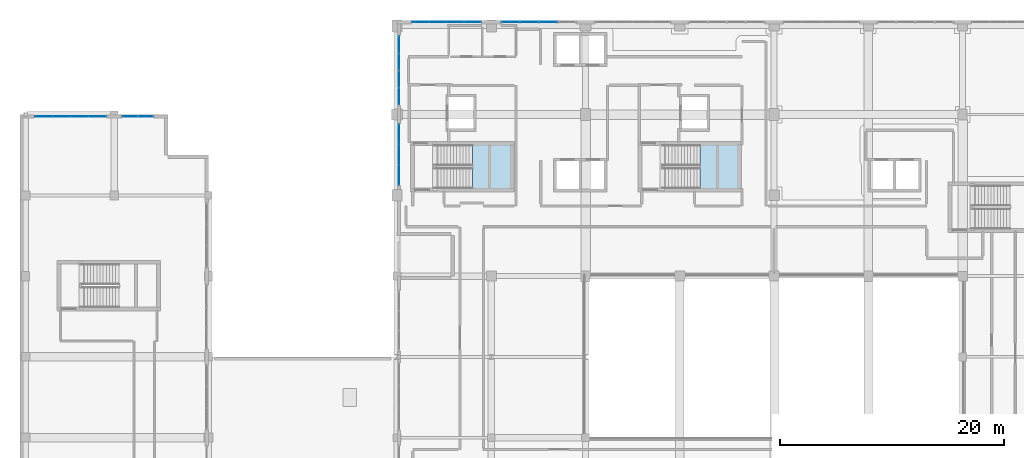
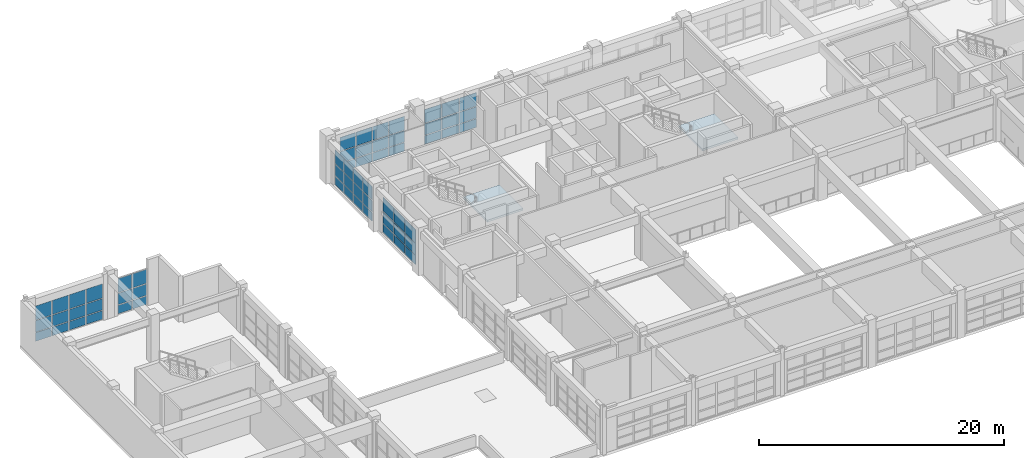
# One storey, part 93 of 123: 60 plates, 2 slabs, 8 elements without a shape of their own.
"""IFC4 building model written with IfcOpenShell, lengths in metres."""

from ifc_helpers import new_model, si_unit, direction, frame, origin, origin_2d, place, context, subcontext, project, spatial, polyline, rectangle, outline, extrude, material, layer, layer_set, type_object, element, aggregate, save


model = new_model("IFC4")

# Units and contexts
model_context = context("Model", 3, precision=1e-05, world=origin(), true_north=direction((0.0, 1.0)))
body_context = subcontext(model_context, "Body", "Model", "MODEL_VIEW")
ifc_project = project(units=[si_unit("LENGTHUNIT", "METRE"), si_unit("AREAUNIT", "SQUARE_METRE"), si_unit("VOLUMEUNIT", "CUBIC_METRE"), si_unit("PLANEANGLEUNIT", "RADIAN"), si_unit("MASSUNIT", "GRAM", prefix="KILO")], contexts=[model_context])

# Site, building, storey
site_placement = place(None, origin())
site = spatial("IfcSite", under=ifc_project, at=site_placement, CompositionType="ELEMENT")
building_placement = place(site_placement, origin())
building = spatial("IfcBuilding", under=site, at=building_placement, Name="Quendrovan Civic Courthouse", CompositionType="ELEMENT")
storey_placement = place(building_placement, frame((0.0, 0.0, 5.39990234375)))
storey = spatial("IfcBuildingStorey", under=building, at=storey_placement, Name="L02", CompositionType="ELEMENT", Elevation=5.39990234375)

# Curtain wall, plates
ifc_material_1 = material(Name="Bronze anodised aluminium and low-E glass", Category="aluminium")
ifc_layer_1 = layer(ifc_material_1, 0.179931640625, Name="Bronze anodised aluminium and low-E glass")
ifc_layer_set_1 = layer_set([ifc_layer_1], Name="Bronze anodised aluminium and low-E glass")
curtain_wall_type_1 = type_object("IfcCurtainWallType", Name="CW-U28x37", PredefinedType="USERDEFINED", material=ifc_layer_set_1)
curtain_wall_1_placement = place(storey_placement, origin())
curtain_wall_1 = element("IfcCurtainWall", 1, at=curtain_wall_1_placement, inside=storey, type_object=curtain_wall_type_1, Name="L02 Unitised Hurricane Curtain Wall CW-068", ObjectType="UNITISED CURTAIN WALL", PredefinedType="USERDEFINED")
ifc_material_2 = material(Name="Laminated hurricane-impact low-E glass", Category="glass")
ifc_layer_2 = layer(ifc_material_2, 0.028076171875, Name="Laminated hurricane-impact low-E glass")
ifc_layer_set_2 = layer_set([ifc_layer_2], Name="Laminated hurricane-impact low-E glass")
plate_type_1 = type_object("IfcPlateType", Name="CW-PNL-1", PredefinedType="CURTAIN_PANEL", material=ifc_layer_set_2)
plate_1_placement = place(storey_placement, frame((9.798828125, 101.8349609375, 0.0703125), z_axis=(0.0, 0.0, 1.0), x_axis=(1.0, 0.0, 0.0)))
plate_1 = element("IfcPlate", 2, at=plate_1_placement, type_object=plate_type_1, Name="CW-068 panel 1.1", PredefinedType="CURTAIN_PANEL", context=body_context, shape_type="SweptSolid", body=[
    extrude(rectangle(XDim=1.3076171875, YDim=0.028076171875, at=origin_2d()), origin(), (0.0, 0.0, 1.0), 0.844970703125),
])
plate_2_placement = place(storey_placement, frame((9.798828125, 101.8349609375, 0.985107421875), z_axis=(0.0, 0.0, 1.0), x_axis=(1.0, 0.0, 0.0)))
plate_2 = element("IfcPlate", 3, at=plate_2_placement, type_object=plate_type_1, Name="CW-068 panel 1.2", PredefinedType="CURTAIN_PANEL", context=body_context, shape_type="SweptSolid", body=[
    extrude(rectangle(XDim=1.3076171875, YDim=0.028076171875, at=origin_2d()), origin(), (0.0, 0.0, 1.0), 1.1298828125),
])
plate_3_placement = place(storey_placement, frame((9.798828125, 101.8349609375, 2.18505859375), z_axis=(0.0, 0.0, 1.0), x_axis=(1.0, 0.0, 0.0)))
plate_3 = element("IfcPlate", 4, at=plate_3_placement, type_object=plate_type_1, Name="CW-068 panel 1.3", PredefinedType="CURTAIN_PANEL", context=body_context, shape_type="SweptSolid", body=[
    extrude(rectangle(XDim=1.3076171875, YDim=0.028076171875, at=origin_2d()), origin(), (0.0, 0.0, 1.0), 1.405029296875),
])
plate_4_placement = place(storey_placement, frame((11.17626953125, 101.8349609375, 0.0703125), z_axis=(0.0, 0.0, 1.0), x_axis=(1.0, 0.0, 0.0)))
plate_4 = element("IfcPlate", 5, at=plate_4_placement, type_object=plate_type_1, Name="CW-068 panel 2.1", PredefinedType="CURTAIN_PANEL", context=body_context, shape_type="SweptSolid", body=[
    extrude(rectangle(XDim=1.3076171875, YDim=0.028076171875, at=origin_2d()), origin(), (0.0, 0.0, 1.0), 0.844970703125),
])
plate_5_placement = place(storey_placement, frame((11.17626953125, 101.8349609375, 0.985107421875), z_axis=(0.0, 0.0, 1.0), x_axis=(1.0, 0.0, 0.0)))
plate_5 = element("IfcPlate", 6, at=plate_5_placement, type_object=plate_type_1, Name="CW-068 panel 2.2", PredefinedType="CURTAIN_PANEL", context=body_context, shape_type="SweptSolid", body=[
    extrude(rectangle(XDim=1.3076171875, YDim=0.028076171875, at=origin_2d()), origin(), (0.0, 0.0, 1.0), 1.1298828125),
])
plate_6_placement = place(storey_placement, frame((11.17626953125, 101.8349609375, 2.18505859375), z_axis=(0.0, 0.0, 1.0), x_axis=(1.0, 0.0, 0.0)))
plate_6 = element("IfcPlate", 7, at=plate_6_placement, type_object=plate_type_1, Name="CW-068 panel 2.3", PredefinedType="CURTAIN_PANEL", context=body_context, shape_type="SweptSolid", body=[
    extrude(rectangle(XDim=1.3076171875, YDim=0.028076171875, at=origin_2d()), origin(), (0.0, 0.0, 1.0), 1.405029296875),
])
aggregate(curtain_wall_1, [plate_1, plate_2, plate_3, plate_4, plate_5, plate_6])

ifc_layer_3 = layer(ifc_material_1, 0.179931640625, Name="Bronze anodised aluminium and low-E glass")
ifc_layer_set_3 = layer_set([ifc_layer_3], Name="Bronze anodised aluminium and low-E glass")
curtain_wall_type_2 = type_object("IfcCurtainWallType", Name="CW-U62x36", PredefinedType="USERDEFINED", material=ifc_layer_set_3)
curtain_wall_2_placement = place(storey_placement, origin())
curtain_wall_2 = element("IfcCurtainWall", 8, at=curtain_wall_2_placement, inside=storey, type_object=curtain_wall_type_2, Name="L02 Unitised Hurricane Curtain Wall CW-080", ObjectType="UNITISED CURTAIN WALL", PredefinedType="USERDEFINED")
plate_7_placement = place(storey_placement, frame((33.764892578125, 103.617431640625, 0.0703125), z_axis=(0.0, 0.0, 1.0), x_axis=(0.0, 1.0, 0.0)))
plate_7 = element("IfcPlate", 9, at=plate_7_placement, type_object=plate_type_1, Name="CW-080 panel 1.1", PredefinedType="CURTAIN_PANEL", context=body_context, shape_type="SweptSolid", body=[
    extrude(rectangle(XDim=1.445068359375, YDim=0.028076171875, at=origin_2d()), origin(), (0.0, 0.0, 1.0), 0.844970703125),
])
plate_8_placement = place(storey_placement, frame((33.764892578125, 103.617431640625, 0.985107421875), z_axis=(0.0, 0.0, 1.0), x_axis=(0.0, 1.0, 0.0)))
plate_8 = element("IfcPlate", 10, at=plate_8_placement, type_object=plate_type_1, Name="CW-080 panel 1.2", PredefinedType="CURTAIN_PANEL", context=body_context, shape_type="SweptSolid", body=[
    extrude(rectangle(XDim=1.445068359375, YDim=0.028076171875, at=origin_2d()), origin(), (0.0, 0.0, 1.0), 1.1298828125),
])
plate_9_placement = place(storey_placement, frame((33.764892578125, 103.617431640625, 2.18505859375), z_axis=(0.0, 0.0, 1.0), x_axis=(0.0, 1.0, 0.0)))
plate_9 = element("IfcPlate", 11, at=plate_9_placement, type_object=plate_type_1, Name="CW-080 panel 1.3", PredefinedType="CURTAIN_PANEL", context=body_context, shape_type="SweptSolid", body=[
    extrude(rectangle(XDim=1.445068359375, YDim=0.028076171875, at=origin_2d()), origin(), (0.0, 0.0, 1.0), 1.344970703125),
])
plate_10_placement = place(storey_placement, frame((33.764892578125, 105.14990234375, 0.0703125), z_axis=(0.0, 0.0, 1.0), x_axis=(0.0, 1.0, 0.0)))
plate_10 = element("IfcPlate", 12, at=plate_10_placement, type_object=plate_type_1, Name="CW-080 panel 2.1", PredefinedType="CURTAIN_PANEL", context=body_context, shape_type="SweptSolid", body=[
    extrude(rectangle(XDim=1.47998046875, YDim=0.028076171875, at=origin_2d()), origin(), (0.0, 0.0, 1.0), 0.844970703125),
])
plate_11_placement = place(storey_placement, frame((33.764892578125, 105.14990234375, 0.985107421875), z_axis=(0.0, 0.0, 1.0), x_axis=(0.0, 1.0, 0.0)))
plate_11 = element("IfcPlate", 13, at=plate_11_placement, type_object=plate_type_1, Name="CW-080 panel 2.2", PredefinedType="CURTAIN_PANEL", context=body_context, shape_type="SweptSolid", body=[
    extrude(rectangle(XDim=1.47998046875, YDim=0.028076171875, at=origin_2d()), origin(), (0.0, 0.0, 1.0), 1.1298828125),
])
plate_12_placement = place(storey_placement, frame((33.764892578125, 105.14990234375, 2.18505859375), z_axis=(0.0, 0.0, 1.0), x_axis=(0.0, 1.0, 0.0)))
plate_12 = element("IfcPlate", 14, at=plate_12_placement, type_object=plate_type_1, Name="CW-080 panel 2.3", PredefinedType="CURTAIN_PANEL", context=body_context, shape_type="SweptSolid", body=[
    extrude(rectangle(XDim=1.47998046875, YDim=0.028076171875, at=origin_2d()), origin(), (0.0, 0.0, 1.0), 1.344970703125),
])
plate_13_placement = place(storey_placement, frame((33.764892578125, 106.699951171875, 0.0703125), z_axis=(0.0, 0.0, 1.0), x_axis=(0.0, 1.0, 0.0)))
plate_13 = element("IfcPlate", 15, at=plate_13_placement, type_object=plate_type_1, Name="CW-080 panel 3.1", PredefinedType="CURTAIN_PANEL", context=body_context, shape_type="SweptSolid", body=[
    extrude(rectangle(XDim=1.47998046875, YDim=0.028076171875, at=origin_2d()), origin(), (0.0, 0.0, 1.0), 0.844970703125),
])
plate_14_placement = place(storey_placement, frame((33.764892578125, 106.699951171875, 0.985107421875), z_axis=(0.0, 0.0, 1.0), x_axis=(0.0, 1.0, 0.0)))
plate_14 = element("IfcPlate", 16, at=plate_14_placement, type_object=plate_type_1, Name="CW-080 panel 3.2", PredefinedType="CURTAIN_PANEL", context=body_context, shape_type="SweptSolid", body=[
    extrude(rectangle(XDim=1.47998046875, YDim=0.028076171875, at=origin_2d()), origin(), (0.0, 0.0, 1.0), 1.1298828125),
])
plate_15_placement = place(storey_placement, frame((33.764892578125, 106.699951171875, 2.18505859375), z_axis=(0.0, 0.0, 1.0), x_axis=(0.0, 1.0, 0.0)))
plate_15 = element("IfcPlate", 17, at=plate_15_placement, type_object=plate_type_1, Name="CW-080 panel 3.3", PredefinedType="CURTAIN_PANEL", context=body_context, shape_type="SweptSolid", body=[
    extrude(rectangle(XDim=1.47998046875, YDim=0.028076171875, at=origin_2d()), origin(), (0.0, 0.0, 1.0), 1.344970703125),
])
plate_16_placement = place(storey_placement, frame((33.764892578125, 108.232421875, 0.0703125), z_axis=(0.0, 0.0, 1.0), x_axis=(0.0, 1.0, 0.0)))
plate_16 = element("IfcPlate", 18, at=plate_16_placement, type_object=plate_type_1, Name="CW-080 panel 4.1", PredefinedType="CURTAIN_PANEL", context=body_context, shape_type="SweptSolid", body=[
    extrude(rectangle(XDim=1.445068359375, YDim=0.028076171875, at=origin_2d()), origin(), (0.0, 0.0, 1.0), 0.844970703125),
])
plate_17_placement = place(storey_placement, frame((33.764892578125, 108.232421875, 0.985107421875), z_axis=(0.0, 0.0, 1.0), x_axis=(0.0, 1.0, 0.0)))
plate_17 = element("IfcPlate", 19, at=plate_17_placement, type_object=plate_type_1, Name="CW-080 panel 4.2", PredefinedType="CURTAIN_PANEL", context=body_context, shape_type="SweptSolid", body=[
    extrude(rectangle(XDim=1.445068359375, YDim=0.028076171875, at=origin_2d()), origin(), (0.0, 0.0, 1.0), 1.1298828125),
])
plate_18_placement = place(storey_placement, frame((33.764892578125, 108.232421875, 2.18505859375), z_axis=(0.0, 0.0, 1.0), x_axis=(0.0, 1.0, 0.0)))
plate_18 = element("IfcPlate", 20, at=plate_18_placement, type_object=plate_type_1, Name="CW-080 panel 4.3", PredefinedType="CURTAIN_PANEL", context=body_context, shape_type="SweptSolid", body=[
    extrude(rectangle(XDim=1.445068359375, YDim=0.028076171875, at=origin_2d()), origin(), (0.0, 0.0, 1.0), 1.344970703125),
])
aggregate(curtain_wall_2, [plate_7, plate_8, plate_9, plate_10, plate_11, plate_12, plate_13, plate_14, plate_15, plate_16, plate_17, plate_18])

curtain_wall_3_placement = place(storey_placement, origin())
curtain_wall_3 = element("IfcCurtainWall", 21, at=curtain_wall_3_placement, inside=storey, type_object=curtain_wall_type_2, Name="L02 Unitised Hurricane Curtain Wall CW-081", ObjectType="UNITISED CURTAIN WALL", PredefinedType="USERDEFINED")
ifc_layer_4 = layer(ifc_material_2, 0.031982421875, Name="Laminated hurricane-impact low-E glass")
ifc_layer_set_4 = layer_set([ifc_layer_4], Name="Laminated hurricane-impact low-E glass")
plate_type_2 = type_object("IfcPlateType", Name="CW-PNL-2", PredefinedType="CURTAIN_PANEL", material=ifc_layer_set_4)
plate_19_placement = place(storey_placement, frame((35.6943359375, 110.235107421875, 0.065185546875), z_axis=(0.0, 0.0, 1.0), x_axis=(1.0, 0.0, 0.0)))
plate_19 = element("IfcPlate", 22, at=plate_19_placement, type_object=plate_type_2, Name="CW-081 panel 1.1", PredefinedType="CURTAIN_PANEL", context=body_context, shape_type="SweptSolid", body=[
    extrude(rectangle(XDim=1.458740234375, YDim=0.031982421875, at=origin_2d()), origin(), (0.0, 0.0, 1.0), 0.8525390625),
])
plate_20_placement = place(storey_placement, frame((35.6943359375, 110.235107421875, 0.982421875), z_axis=(0.0, 0.0, 1.0), x_axis=(1.0, 0.0, 0.0)))
plate_20 = element("IfcPlate", 23, at=plate_20_placement, type_object=plate_type_2, Name="CW-081 panel 1.2", PredefinedType="CURTAIN_PANEL", context=body_context, shape_type="SweptSolid", body=[
    extrude(rectangle(XDim=1.458740234375, YDim=0.031982421875, at=origin_2d()), origin(), (0.0, 0.0, 1.0), 1.135009765625),
])
plate_21_placement = place(storey_placement, frame((35.6943359375, 110.235107421875, 2.1826171875), z_axis=(0.0, 0.0, 1.0), x_axis=(1.0, 0.0, 0.0)))
plate_21 = element("IfcPlate", 24, at=plate_21_placement, type_object=plate_type_2, Name="CW-081 panel 1.3", PredefinedType="CURTAIN_PANEL", context=body_context, shape_type="SweptSolid", body=[
    extrude(rectangle(XDim=1.458740234375, YDim=0.031982421875, at=origin_2d()), origin(), (0.0, 0.0, 1.0), 1.3525390625),
])
plate_22_placement = place(storey_placement, frame((37.234375, 110.235107421875, 0.065185546875), z_axis=(0.0, 0.0, 1.0), x_axis=(1.0, 0.0, 0.0)))
plate_22 = element("IfcPlate", 25, at=plate_22_placement, type_object=plate_type_2, Name="CW-081 panel 2.1", PredefinedType="CURTAIN_PANEL", context=body_context, shape_type="SweptSolid", body=[
    extrude(rectangle(XDim=1.4912109375, YDim=0.031982421875, at=origin_2d()), origin(), (0.0, 0.0, 1.0), 0.8525390625),
])
plate_23_placement = place(storey_placement, frame((37.234375, 110.235107421875, 0.982421875), z_axis=(0.0, 0.0, 1.0), x_axis=(1.0, 0.0, 0.0)))
plate_23 = element("IfcPlate", 26, at=plate_23_placement, type_object=plate_type_2, Name="CW-081 panel 2.2", PredefinedType="CURTAIN_PANEL", context=body_context, shape_type="SweptSolid", body=[
    extrude(rectangle(XDim=1.4912109375, YDim=0.031982421875, at=origin_2d()), origin(), (0.0, 0.0, 1.0), 1.135009765625),
])
plate_24_placement = place(storey_placement, frame((37.234375, 110.235107421875, 2.1826171875), z_axis=(0.0, 0.0, 1.0), x_axis=(1.0, 0.0, 0.0)))
plate_24 = element("IfcPlate", 27, at=plate_24_placement, type_object=plate_type_2, Name="CW-081 panel 2.3", PredefinedType="CURTAIN_PANEL", context=body_context, shape_type="SweptSolid", body=[
    extrude(rectangle(XDim=1.4912109375, YDim=0.031982421875, at=origin_2d()), origin(), (0.0, 0.0, 1.0), 1.3525390625),
])
plate_25_placement = place(storey_placement, frame((38.79052734375, 110.235107421875, 0.065185546875), z_axis=(0.0, 0.0, 1.0), x_axis=(1.0, 0.0, 0.0)))
plate_25 = element("IfcPlate", 28, at=plate_25_placement, type_object=plate_type_2, Name="CW-081 panel 3.1", PredefinedType="CURTAIN_PANEL", context=body_context, shape_type="SweptSolid", body=[
    extrude(rectangle(XDim=1.4912109375, YDim=0.031982421875, at=origin_2d()), origin(), (0.0, 0.0, 1.0), 0.8525390625),
])
plate_26_placement = place(storey_placement, frame((38.79052734375, 110.235107421875, 0.982421875), z_axis=(0.0, 0.0, 1.0), x_axis=(1.0, 0.0, 0.0)))
plate_26 = element("IfcPlate", 29, at=plate_26_placement, type_object=plate_type_2, Name="CW-081 panel 3.2", PredefinedType="CURTAIN_PANEL", context=body_context, shape_type="SweptSolid", body=[
    extrude(rectangle(XDim=1.4912109375, YDim=0.031982421875, at=origin_2d()), origin(), (0.0, 0.0, 1.0), 1.135009765625),
])
plate_27_placement = place(storey_placement, frame((38.79052734375, 110.235107421875, 2.1826171875), z_axis=(0.0, 0.0, 1.0), x_axis=(1.0, 0.0, 0.0)))
plate_27 = element("IfcPlate", 30, at=plate_27_placement, type_object=plate_type_2, Name="CW-081 panel 3.3", PredefinedType="CURTAIN_PANEL", context=body_context, shape_type="SweptSolid", body=[
    extrude(rectangle(XDim=1.4912109375, YDim=0.031982421875, at=origin_2d()), origin(), (0.0, 0.0, 1.0), 1.3525390625),
])
plate_28_placement = place(storey_placement, frame((40.33056640625, 110.235107421875, 0.065185546875), z_axis=(0.0, 0.0, 1.0), x_axis=(1.0, 0.0, 0.0)))
plate_28 = element("IfcPlate", 31, at=plate_28_placement, type_object=plate_type_2, Name="CW-081 panel 4.1", PredefinedType="CURTAIN_PANEL", context=body_context, shape_type="SweptSolid", body=[
    extrude(rectangle(XDim=1.458740234375, YDim=0.031982421875, at=origin_2d()), origin(), (0.0, 0.0, 1.0), 0.8525390625),
])
plate_29_placement = place(storey_placement, frame((40.33056640625, 110.235107421875, 0.982421875), z_axis=(0.0, 0.0, 1.0), x_axis=(1.0, 0.0, 0.0)))
plate_29 = element("IfcPlate", 32, at=plate_29_placement, type_object=plate_type_2, Name="CW-081 panel 4.2", PredefinedType="CURTAIN_PANEL", context=body_context, shape_type="SweptSolid", body=[
    extrude(rectangle(XDim=1.458740234375, YDim=0.031982421875, at=origin_2d()), origin(), (0.0, 0.0, 1.0), 1.135009765625),
])
plate_30_placement = place(storey_placement, frame((40.33056640625, 110.235107421875, 2.1826171875), z_axis=(0.0, 0.0, 1.0), x_axis=(1.0, 0.0, 0.0)))
plate_30 = element("IfcPlate", 33, at=plate_30_placement, type_object=plate_type_2, Name="CW-081 panel 4.3", PredefinedType="CURTAIN_PANEL", context=body_context, shape_type="SweptSolid", body=[
    extrude(rectangle(XDim=1.458740234375, YDim=0.031982421875, at=origin_2d()), origin(), (0.0, 0.0, 1.0), 1.3525390625),
])
aggregate(curtain_wall_3, [plate_19, plate_20, plate_21, plate_22, plate_23, plate_24, plate_25, plate_26, plate_27, plate_28, plate_29, plate_30])

ifc_layer_5 = layer(ifc_material_1, 0.179931640625, Name="Bronze anodised aluminium and low-E glass")
ifc_layer_set_5 = layer_set([ifc_layer_5], Name="Bronze anodised aluminium and low-E glass")
curtain_wall_type_3 = type_object("IfcCurtainWallType", Name="CW-U67x36", PredefinedType="USERDEFINED", material=ifc_layer_set_5)
curtain_wall_4_placement = place(storey_placement, origin())
curtain_wall_4 = element("IfcCurtainWall", 34, at=curtain_wall_4_placement, inside=storey, type_object=curtain_wall_type_3, Name="L02 Unitised Hurricane Curtain Wall CW-082", ObjectType="UNITISED CURTAIN WALL", PredefinedType="USERDEFINED")
ifc_layer_6 = layer(ifc_material_2, 0.035888671875, Name="Laminated hurricane-impact low-E glass")
ifc_layer_set_6 = layer_set([ifc_layer_6], Name="Laminated hurricane-impact low-E glass")
plate_type_3 = type_object("IfcPlateType", Name="CW-PNL-3", PredefinedType="CURTAIN_PANEL", material=ifc_layer_set_6)
plate_31_placement = place(storey_placement, frame((43.72998046875, 110.235107421875, 0.0703125), z_axis=(0.0, 0.0, 1.0), x_axis=(1.0, 0.0, 0.0)))
plate_31 = element("IfcPlate", 35, at=plate_31_placement, type_object=plate_type_3, Name="CW-082 panel 1.1", PredefinedType="CURTAIN_PANEL", context=body_context, shape_type="SweptSolid", body=[
    extrude(rectangle(XDim=1.570068359375, YDim=0.035888671875, at=origin_2d()), origin(), (0.0, 0.0, 1.0), 0.844970703125),
])
plate_32_placement = place(storey_placement, frame((43.72998046875, 110.235107421875, 0.985107421875), z_axis=(0.0, 0.0, 1.0), x_axis=(1.0, 0.0, 0.0)))
plate_32 = element("IfcPlate", 36, at=plate_32_placement, type_object=plate_type_3, Name="CW-082 panel 1.2", PredefinedType="CURTAIN_PANEL", context=body_context, shape_type="SweptSolid", body=[
    extrude(rectangle(XDim=1.570068359375, YDim=0.035888671875, at=origin_2d()), origin(), (0.0, 0.0, 1.0), 1.1298828125),
])
plate_33_placement = place(storey_placement, frame((43.72998046875, 110.235107421875, 2.18505859375), z_axis=(0.0, 0.0, 1.0), x_axis=(1.0, 0.0, 0.0)))
plate_33 = element("IfcPlate", 37, at=plate_33_placement, type_object=plate_type_3, Name="CW-082 panel 1.3", PredefinedType="CURTAIN_PANEL", context=body_context, shape_type="SweptSolid", body=[
    extrude(rectangle(XDim=1.570068359375, YDim=0.035888671875, at=origin_2d()), origin(), (0.0, 0.0, 1.0), 1.344970703125),
])
plate_34_placement = place(storey_placement, frame((45.387451171875, 110.235107421875, 0.0703125), z_axis=(0.0, 0.0, 1.0), x_axis=(1.0, 0.0, 0.0)))
plate_34 = element("IfcPlate", 38, at=plate_34_placement, type_object=plate_type_3, Name="CW-082 panel 2.1", PredefinedType="CURTAIN_PANEL", context=body_context, shape_type="SweptSolid", body=[
    extrude(rectangle(XDim=1.60498046875, YDim=0.035888671875, at=origin_2d()), origin(), (0.0, 0.0, 1.0), 0.844970703125),
])
plate_35_placement = place(storey_placement, frame((45.387451171875, 110.235107421875, 0.985107421875), z_axis=(0.0, 0.0, 1.0), x_axis=(1.0, 0.0, 0.0)))
plate_35 = element("IfcPlate", 39, at=plate_35_placement, type_object=plate_type_3, Name="CW-082 panel 2.2", PredefinedType="CURTAIN_PANEL", context=body_context, shape_type="SweptSolid", body=[
    extrude(rectangle(XDim=1.60498046875, YDim=0.035888671875, at=origin_2d()), origin(), (0.0, 0.0, 1.0), 1.1298828125),
])
plate_36_placement = place(storey_placement, frame((45.387451171875, 110.235107421875, 2.18505859375), z_axis=(0.0, 0.0, 1.0), x_axis=(1.0, 0.0, 0.0)))
plate_36 = element("IfcPlate", 40, at=plate_36_placement, type_object=plate_type_3, Name="CW-082 panel 2.3", PredefinedType="CURTAIN_PANEL", context=body_context, shape_type="SweptSolid", body=[
    extrude(rectangle(XDim=1.60498046875, YDim=0.035888671875, at=origin_2d()), origin(), (0.0, 0.0, 1.0), 1.344970703125),
])
plate_37_placement = place(storey_placement, frame((47.0625, 110.235107421875, 0.0703125), z_axis=(0.0, 0.0, 1.0), x_axis=(1.0, 0.0, 0.0)))
plate_37 = element("IfcPlate", 41, at=plate_37_placement, type_object=plate_type_3, Name="CW-082 panel 3.1", PredefinedType="CURTAIN_PANEL", context=body_context, shape_type="SweptSolid", body=[
    extrude(rectangle(XDim=1.60498046875, YDim=0.035888671875, at=origin_2d()), origin(), (0.0, 0.0, 1.0), 0.844970703125),
])
plate_38_placement = place(storey_placement, frame((47.0625, 110.235107421875, 0.985107421875), z_axis=(0.0, 0.0, 1.0), x_axis=(1.0, 0.0, 0.0)))
plate_38 = element("IfcPlate", 42, at=plate_38_placement, type_object=plate_type_3, Name="CW-082 panel 3.2", PredefinedType="CURTAIN_PANEL", context=body_context, shape_type="SweptSolid", body=[
    extrude(rectangle(XDim=1.60498046875, YDim=0.035888671875, at=origin_2d()), origin(), (0.0, 0.0, 1.0), 1.1298828125),
])
plate_39_placement = place(storey_placement, frame((47.0625, 110.235107421875, 2.18505859375), z_axis=(0.0, 0.0, 1.0), x_axis=(1.0, 0.0, 0.0)))
plate_39 = element("IfcPlate", 43, at=plate_39_placement, type_object=plate_type_3, Name="CW-082 panel 3.3", PredefinedType="CURTAIN_PANEL", context=body_context, shape_type="SweptSolid", body=[
    extrude(rectangle(XDim=1.60498046875, YDim=0.035888671875, at=origin_2d()), origin(), (0.0, 0.0, 1.0), 1.344970703125),
])
aggregate(curtain_wall_4, [plate_31, plate_32, plate_33, plate_34, plate_35, plate_36, plate_37, plate_38, plate_39])

ifc_layer_7 = layer(ifc_material_1, 0.179931640625, Name="Bronze anodised aluminium and low-E glass")
ifc_layer_set_7 = layer_set([ifc_layer_7], Name="Bronze anodised aluminium and low-E glass")
curtain_wall_type_4 = type_object("IfcCurtainWallType", Name="CW-U64x37", PredefinedType="USERDEFINED", material=ifc_layer_set_7)
curtain_wall_5_placement = place(storey_placement, origin())
curtain_wall_5 = element("IfcCurtainWall", 44, at=curtain_wall_5_placement, inside=storey, type_object=curtain_wall_type_4, Name="L02 Unitised Hurricane Curtain Wall CW-067", ObjectType="UNITISED CURTAIN WALL", PredefinedType="USERDEFINED")
ifc_layer_8 = layer(ifc_material_2, 0.0419921875, Name="Laminated hurricane-impact low-E glass")
ifc_layer_set_8 = layer_set([ifc_layer_8], Name="Laminated hurricane-impact low-E glass")
plate_type_4 = type_object("IfcPlateType", Name="CW-PNL-4", PredefinedType="CURTAIN_PANEL", material=ifc_layer_set_8)
plate_40_placement = place(storey_placement, frame((2.119384765625, 101.8349609375, 0.065185546875), z_axis=(0.0, 0.0, 1.0), x_axis=(1.0, 0.0, 0.0)))
plate_40 = element("IfcPlate", 45, at=plate_40_placement, type_object=plate_type_4, Name="CW-067 panel 1.1", PredefinedType="CURTAIN_PANEL", context=body_context, shape_type="SweptSolid", body=[
    extrude(rectangle(XDim=1.5087890625, YDim=0.0419921875, at=origin_2d()), origin(), (0.0, 0.0, 1.0), 0.8525390625),
])
plate_41_placement = place(storey_placement, frame((2.119384765625, 101.8349609375, 0.982421875), z_axis=(0.0, 0.0, 1.0), x_axis=(1.0, 0.0, 0.0)))
plate_41 = element("IfcPlate", 46, at=plate_41_placement, type_object=plate_type_4, Name="CW-067 panel 1.2", PredefinedType="CURTAIN_PANEL", context=body_context, shape_type="SweptSolid", body=[
    extrude(rectangle(XDim=1.5087890625, YDim=0.0419921875, at=origin_2d()), origin(), (0.0, 0.0, 1.0), 1.135009765625),
])
plate_42_placement = place(storey_placement, frame((2.119384765625, 101.8349609375, 2.1826171875), z_axis=(0.0, 0.0, 1.0), x_axis=(1.0, 0.0, 0.0)))
plate_42 = element("IfcPlate", 47, at=plate_42_placement, type_object=plate_type_4, Name="CW-067 panel 1.3", PredefinedType="CURTAIN_PANEL", context=body_context, shape_type="SweptSolid", body=[
    extrude(rectangle(XDim=1.5087890625, YDim=0.0419921875, at=origin_2d()), origin(), (0.0, 0.0, 1.0), 1.41259765625),
])
plate_43_placement = place(storey_placement, frame((3.70947265625, 101.8349609375, 0.065185546875), z_axis=(0.0, 0.0, 1.0), x_axis=(1.0, 0.0, 0.0)))
plate_43 = element("IfcPlate", 48, at=plate_43_placement, type_object=plate_type_4, Name="CW-067 panel 2.1", PredefinedType="CURTAIN_PANEL", context=body_context, shape_type="SweptSolid", body=[
    extrude(rectangle(XDim=1.541259765625, YDim=0.0419921875, at=origin_2d()), origin(), (0.0, 0.0, 1.0), 0.8525390625),
])
plate_44_placement = place(storey_placement, frame((3.70947265625, 101.8349609375, 0.982421875), z_axis=(0.0, 0.0, 1.0), x_axis=(1.0, 0.0, 0.0)))
plate_44 = element("IfcPlate", 49, at=plate_44_placement, type_object=plate_type_4, Name="CW-067 panel 2.2", PredefinedType="CURTAIN_PANEL", context=body_context, shape_type="SweptSolid", body=[
    extrude(rectangle(XDim=1.541259765625, YDim=0.0419921875, at=origin_2d()), origin(), (0.0, 0.0, 1.0), 1.135009765625),
])
plate_45_placement = place(storey_placement, frame((3.70947265625, 101.8349609375, 2.1826171875), z_axis=(0.0, 0.0, 1.0), x_axis=(1.0, 0.0, 0.0)))
plate_45 = element("IfcPlate", 50, at=plate_45_placement, type_object=plate_type_4, Name="CW-067 panel 2.3", PredefinedType="CURTAIN_PANEL", context=body_context, shape_type="SweptSolid", body=[
    extrude(rectangle(XDim=1.541259765625, YDim=0.0419921875, at=origin_2d()), origin(), (0.0, 0.0, 1.0), 1.41259765625),
])
plate_46_placement = place(storey_placement, frame((5.315673828125, 101.8349609375, 0.065185546875), z_axis=(0.0, 0.0, 1.0), x_axis=(1.0, 0.0, 0.0)))
plate_46 = element("IfcPlate", 51, at=plate_46_placement, type_object=plate_type_4, Name="CW-067 panel 3.1", PredefinedType="CURTAIN_PANEL", context=body_context, shape_type="SweptSolid", body=[
    extrude(rectangle(XDim=1.541259765625, YDim=0.0419921875, at=origin_2d()), origin(), (0.0, 0.0, 1.0), 0.8525390625),
])
plate_47_placement = place(storey_placement, frame((5.315673828125, 101.8349609375, 0.982421875), z_axis=(0.0, 0.0, 1.0), x_axis=(1.0, 0.0, 0.0)))
plate_47 = element("IfcPlate", 52, at=plate_47_placement, type_object=plate_type_4, Name="CW-067 panel 3.2", PredefinedType="CURTAIN_PANEL", context=body_context, shape_type="SweptSolid", body=[
    extrude(rectangle(XDim=1.541259765625, YDim=0.0419921875, at=origin_2d()), origin(), (0.0, 0.0, 1.0), 1.135009765625),
])
plate_48_placement = place(storey_placement, frame((5.315673828125, 101.8349609375, 2.1826171875), z_axis=(0.0, 0.0, 1.0), x_axis=(1.0, 0.0, 0.0)))
plate_48 = element("IfcPlate", 53, at=plate_48_placement, type_object=plate_type_4, Name="CW-067 panel 3.3", PredefinedType="CURTAIN_PANEL", context=body_context, shape_type="SweptSolid", body=[
    extrude(rectangle(XDim=1.541259765625, YDim=0.0419921875, at=origin_2d()), origin(), (0.0, 0.0, 1.0), 1.41259765625),
])
plate_49_placement = place(storey_placement, frame((6.905517578125, 101.8349609375, 0.065185546875), z_axis=(0.0, 0.0, 1.0), x_axis=(1.0, 0.0, 0.0)))
plate_49 = element("IfcPlate", 54, at=plate_49_placement, type_object=plate_type_4, Name="CW-067 panel 4.1", PredefinedType="CURTAIN_PANEL", context=body_context, shape_type="SweptSolid", body=[
    extrude(rectangle(XDim=1.5087890625, YDim=0.0419921875, at=origin_2d()), origin(), (0.0, 0.0, 1.0), 0.8525390625),
])
plate_50_placement = place(storey_placement, frame((6.905517578125, 101.8349609375, 0.982421875), z_axis=(0.0, 0.0, 1.0), x_axis=(1.0, 0.0, 0.0)))
plate_50 = element("IfcPlate", 55, at=plate_50_placement, type_object=plate_type_4, Name="CW-067 panel 4.2", PredefinedType="CURTAIN_PANEL", context=body_context, shape_type="SweptSolid", body=[
    extrude(rectangle(XDim=1.5087890625, YDim=0.0419921875, at=origin_2d()), origin(), (0.0, 0.0, 1.0), 1.135009765625),
])
plate_51_placement = place(storey_placement, frame((6.905517578125, 101.8349609375, 2.1826171875), z_axis=(0.0, 0.0, 1.0), x_axis=(1.0, 0.0, 0.0)))
plate_51 = element("IfcPlate", 56, at=plate_51_placement, type_object=plate_type_4, Name="CW-067 panel 4.3", PredefinedType="CURTAIN_PANEL", context=body_context, shape_type="SweptSolid", body=[
    extrude(rectangle(XDim=1.5087890625, YDim=0.0419921875, at=origin_2d()), origin(), (0.0, 0.0, 1.0), 1.41259765625),
])
aggregate(curtain_wall_5, [plate_40, plate_41, plate_42, plate_43, plate_44, plate_45, plate_46, plate_47, plate_48, plate_49, plate_50, plate_51])

ifc_layer_9 = layer(ifc_material_1, 0.179931640625, Name="Bronze anodised aluminium and low-E glass")
ifc_layer_set_9 = layer_set([ifc_layer_9], Name="Bronze anodised aluminium and low-E glass")
curtain_wall_type_5 = type_object("IfcCurtainWallType", Name="CW-U55x36", PredefinedType="USERDEFINED", material=ifc_layer_set_9)
curtain_wall_6_placement = place(storey_placement, origin())
curtain_wall_6 = element("IfcCurtainWall", 57, at=curtain_wall_6_placement, inside=storey, type_object=curtain_wall_type_5, Name="L02 Unitised Hurricane Curtain Wall CW-079", ObjectType="UNITISED CURTAIN WALL", PredefinedType="USERDEFINED")
plate_52_placement = place(storey_placement, frame((33.764892578125, 96.60791015625, 0.065185546875), z_axis=(0.0, 0.0, 1.0), x_axis=(0.0, 1.0, 0.0)))
plate_52 = element("IfcPlate", 58, at=plate_52_placement, type_object=plate_type_4, Name="CW-079 panel 1.1", PredefinedType="CURTAIN_PANEL", context=body_context, shape_type="SweptSolid", body=[
    extrude(rectangle(XDim=1.73583984375, YDim=0.0419921875, at=origin_2d()), origin(), (0.0, 0.0, 1.0), 0.8525390625),
])
plate_53_placement = place(storey_placement, frame((33.764892578125, 96.60791015625, 0.982421875), z_axis=(0.0, 0.0, 1.0), x_axis=(0.0, 1.0, 0.0)))
plate_53 = element("IfcPlate", 59, at=plate_53_placement, type_object=plate_type_4, Name="CW-079 panel 1.2", PredefinedType="CURTAIN_PANEL", context=body_context, shape_type="SweptSolid", body=[
    extrude(rectangle(XDim=1.73583984375, YDim=0.0419921875, at=origin_2d()), origin(), (0.0, 0.0, 1.0), 1.135009765625),
])
plate_54_placement = place(storey_placement, frame((33.764892578125, 96.60791015625, 2.1826171875), z_axis=(0.0, 0.0, 1.0), x_axis=(0.0, 1.0, 0.0)))
plate_54 = element("IfcPlate", 60, at=plate_54_placement, type_object=plate_type_4, Name="CW-079 panel 1.3", PredefinedType="CURTAIN_PANEL", context=body_context, shape_type="SweptSolid", body=[
    extrude(rectangle(XDim=1.73583984375, YDim=0.0419921875, at=origin_2d()), origin(), (0.0, 0.0, 1.0), 1.3525390625),
])
plate_55_placement = place(storey_placement, frame((33.764892578125, 98.425048828125, 0.065185546875), z_axis=(0.0, 0.0, 1.0), x_axis=(0.0, 1.0, 0.0)))
plate_55 = element("IfcPlate", 61, at=plate_55_placement, type_object=plate_type_4, Name="CW-079 panel 2.1", PredefinedType="CURTAIN_PANEL", context=body_context, shape_type="SweptSolid", body=[
    extrude(rectangle(XDim=1.768310546875, YDim=0.0419921875, at=origin_2d()), origin(), (0.0, 0.0, 1.0), 0.8525390625),
])
plate_56_placement = place(storey_placement, frame((33.764892578125, 98.425048828125, 0.982421875), z_axis=(0.0, 0.0, 1.0), x_axis=(0.0, 1.0, 0.0)))
plate_56 = element("IfcPlate", 62, at=plate_56_placement, type_object=plate_type_4, Name="CW-079 panel 2.2", PredefinedType="CURTAIN_PANEL", context=body_context, shape_type="SweptSolid", body=[
    extrude(rectangle(XDim=1.768310546875, YDim=0.0419921875, at=origin_2d()), origin(), (0.0, 0.0, 1.0), 1.135009765625),
])
plate_57_placement = place(storey_placement, frame((33.764892578125, 98.425048828125, 2.1826171875), z_axis=(0.0, 0.0, 1.0), x_axis=(0.0, 1.0, 0.0)))
plate_57 = element("IfcPlate", 63, at=plate_57_placement, type_object=plate_type_4, Name="CW-079 panel 2.3", PredefinedType="CURTAIN_PANEL", context=body_context, shape_type="SweptSolid", body=[
    extrude(rectangle(XDim=1.768310546875, YDim=0.0419921875, at=origin_2d()), origin(), (0.0, 0.0, 1.0), 1.3525390625),
])
plate_58_placement = place(storey_placement, frame((33.764892578125, 100.2421875, 0.065185546875), z_axis=(0.0, 0.0, 1.0), x_axis=(0.0, 1.0, 0.0)))
plate_58 = element("IfcPlate", 64, at=plate_58_placement, type_object=plate_type_4, Name="CW-079 panel 3.1", PredefinedType="CURTAIN_PANEL", context=body_context, shape_type="SweptSolid", body=[
    extrude(rectangle(XDim=1.73583984375, YDim=0.0419921875, at=origin_2d()), origin(), (0.0, 0.0, 1.0), 0.8525390625),
])
plate_59_placement = place(storey_placement, frame((33.764892578125, 100.2421875, 0.982421875), z_axis=(0.0, 0.0, 1.0), x_axis=(0.0, 1.0, 0.0)))
plate_59 = element("IfcPlate", 65, at=plate_59_placement, type_object=plate_type_4, Name="CW-079 panel 3.2", PredefinedType="CURTAIN_PANEL", context=body_context, shape_type="SweptSolid", body=[
    extrude(rectangle(XDim=1.73583984375, YDim=0.0419921875, at=origin_2d()), origin(), (0.0, 0.0, 1.0), 1.135009765625),
])
plate_60_placement = place(storey_placement, frame((33.764892578125, 100.2421875, 2.1826171875), z_axis=(0.0, 0.0, 1.0), x_axis=(0.0, 1.0, 0.0)))
plate_60 = element("IfcPlate", 66, at=plate_60_placement, type_object=plate_type_4, Name="CW-079 panel 3.3", PredefinedType="CURTAIN_PANEL", context=body_context, shape_type="SweptSolid", body=[
    extrude(rectangle(XDim=1.73583984375, YDim=0.0419921875, at=origin_2d()), origin(), (0.0, 0.0, 1.0), 1.3525390625),
])
aggregate(curtain_wall_6, [plate_52, plate_53, plate_54, plate_55, plate_56, plate_57, plate_58, plate_59, plate_60])

# Stair, slab
ifc_material_3 = material(Name="Concrete C40/50", Category="concrete")
stair_type = type_object("IfcStairType", Name="STR-CORE-4800", PredefinedType="HALF_TURN_STAIR", material=ifc_material_3)
stair_1_placement = place(storey_placement, origin())
stair_1 = element("IfcStair", 67, at=stair_1_placement, inside=storey, type_object=stair_type, Name="L02 West Judicial and Public Exit Stair 1", PredefinedType="HALF_TURN_STAIR")
ifc_layer_10 = layer(ifc_material_3, 0.199951171875, Name="Concrete C40/50")
ifc_layer_set_10 = layer_set([ifc_layer_10], Name="Concrete C40/50")
slab_type = type_object("IfcSlabType", Name="SLB-STAIR-LND200", PredefinedType="LANDING", material=ifc_layer_set_10)
slab_1_placement = place(storey_placement, frame((0.0, 0.0, 2.2001953125)))
slab_1 = element("IfcSlab", 68, at=slab_1_placement, type_object=slab_type, Name="ST1 landing 1", PredefinedType="LANDING", context=body_context, shape_type="SweptSolid", body=[
    extrude(outline(polyline([(40.31005859375, 95.39990234375), (43.699951171875, 95.39990234375), (43.699951171875, 99.280029296875), (40.31005859375, 99.280029296875), (40.31005859375, 95.39990234375)])), origin(), (0.0, 0.0, 1.0), 0.199951171875),
])
aggregate(stair_1, [slab_1])

stair_2_placement = place(storey_placement, origin())
stair_2 = element("IfcStair", 69, at=stair_2_placement, inside=storey, type_object=stair_type, Name="L02 Central Judicial and Firefighting Exit Stair 2", PredefinedType="HALF_TURN_STAIR")
slab_2_placement = place(storey_placement, frame((0.0, 0.0, 2.2001953125)))
slab_2 = element("IfcSlab", 70, at=slab_2_placement, type_object=slab_type, Name="ST2 landing 1", PredefinedType="LANDING", context=body_context, shape_type="SweptSolid", body=[
    extrude(outline(polyline([(60.610107421875, 95.39990234375), (64.0, 95.39990234375), (64.0, 99.280029296875), (60.610107421875, 99.280029296875), (60.610107421875, 95.39990234375)])), origin(), (0.0, 0.0, 1.0), 0.199951171875),
])
aggregate(stair_2, [slab_2])

save(model, "model.ifc")
